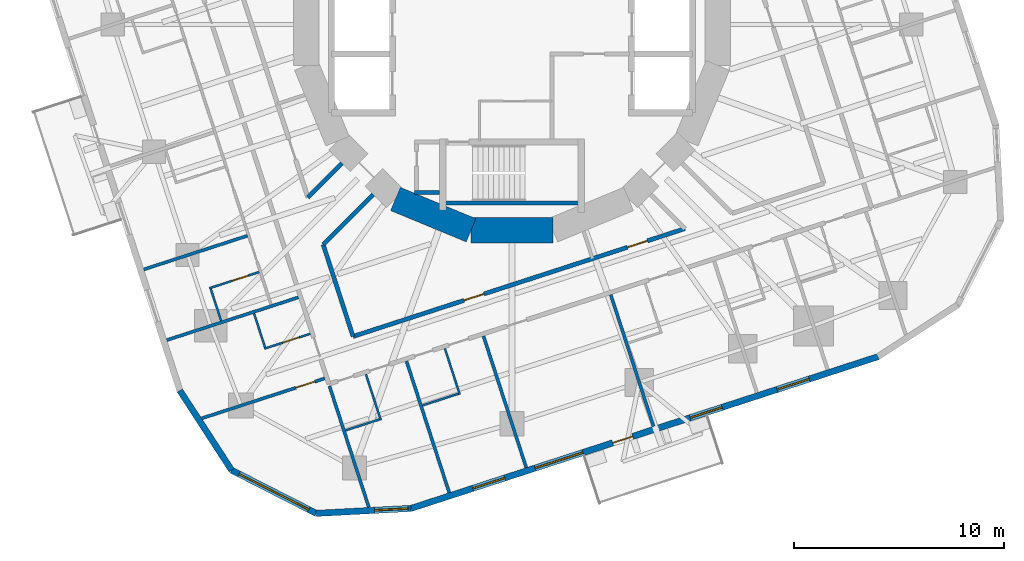
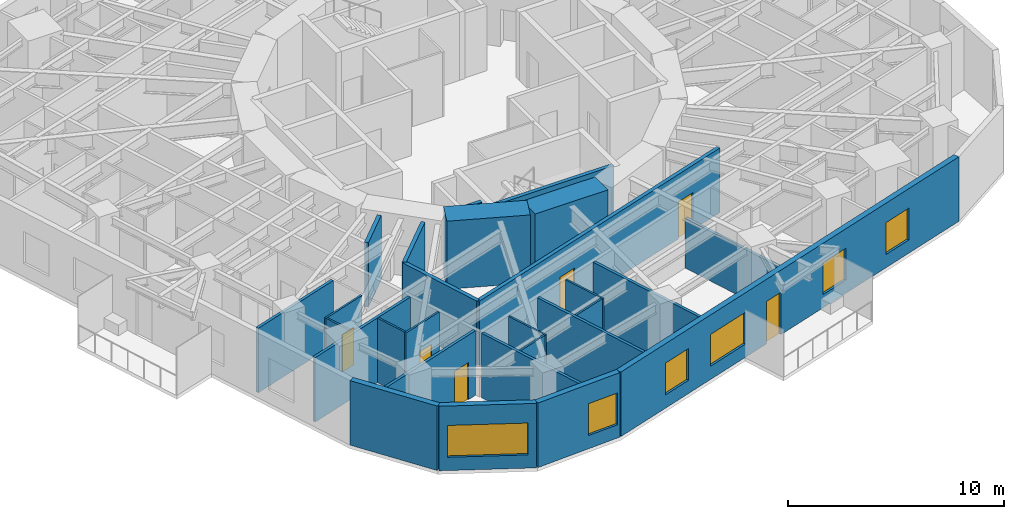
# One storey, part 4 of 12: 27 walls, 6 doors, 6 windows, 12 openings.
"""IFC4 building model written with IfcOpenShell, lengths in metres."""

from ifc_helpers import new_model, si_unit, direction, frame, frame_2d, origin, place, context, subcontext, project, spatial, rectangle, extrude, material, layer, layer_set, type_object, element, fill, save


model = new_model("IFC4")

# Units and contexts
model_context = context("Model", 3, precision=1e-05, world=origin(), true_north=direction((0.0, 1.0)))
body_context = subcontext(model_context, "Body", "Model", "MODEL_VIEW")
ifc_project = project(units=[si_unit("LENGTHUNIT", "METRE"), si_unit("AREAUNIT", "SQUARE_METRE"), si_unit("VOLUMEUNIT", "CUBIC_METRE"), si_unit("PLANEANGLEUNIT", "RADIAN"), si_unit("MASSUNIT", "GRAM", prefix="KILO")], contexts=[model_context])

# Site, building, storey
site_placement = place(None, origin())
site = spatial("IfcSite", under=ifc_project, at=site_placement, CompositionType="ELEMENT")
building_placement = place(site_placement, origin())
building = spatial("IfcBuilding", under=site, at=building_placement, Name="Nakasero Lantern House", CompositionType="ELEMENT")
storey_placement = place(building_placement, frame((0.0, 0.0, 168.75)))
storey = spatial("IfcBuildingStorey", under=building, at=storey_placement, Name="L41", CompositionType="ELEMENT", Elevation=168.75)

# Walls
ifc_material_1 = material(Name="Concrete C50/60", Category="concrete")
ifc_layer_1 = layer(ifc_material_1, 1.199951171875)
ifc_layer_set_1 = layer_set([ifc_layer_1], Name="Core wall 1200")
wall_type_1 = type_object("IfcWallType", Name="Core wall 1200", PredefinedType="SHEAR", material=ifc_layer_set_1)
for number, where, z_axis, x_axis, name in (
    (1, (-5.5556640625, -8.314697265625, 0.0), (0.0, 0.0, 1.0), (0.923876507187, -0.382690736062, 0.0), "Core wall L41 facet 11"),
    (2, (-1.950927734375, -9.807861328125, 0.0), (0.0, 0.0, 1.0), (1.0, 0.0, 0.0), "Core wall L41 facet 12"),
):
    element("IfcWall", number, at=place(storey_placement, frame(where, z_axis=z_axis, x_axis=x_axis)), inside=storey, type_object=wall_type_1, Name=name, PredefinedType="SHEAR", context=body_context, shape_type="SweptSolid", body=[
        extrude(rectangle(XDim=3.90185546875, YDim=1.199951171875, at=frame_2d((1.950927734375, 0.0))), origin(), (0.0, 0.0, 1.0), 3.85009765625),
    ])
ifc_material_2 = material(Name="Blockwork", Category="masonry")
ifc_layer_2 = layer(ifc_material_2, 0.199951171875)
ifc_layer_set_2 = layer_set([ifc_layer_2], Name="Corridor wall 200")
wall_type_2 = type_object("IfcWallType", Name="Corridor wall 200", PredefinedType="PARTITIONING", material=ifc_layer_set_2)
wall_1_placement = place(storey_placement, frame((-9.00048828125, -10.4853515625, 0.0), z_axis=(0.0, 0.0, 1.0), x_axis=(0.309020197406, -0.951055475561, 0.0)))
element("IfcWall", 3, at=wall_1_placement, inside=storey, type_object=wall_type_2, Name="Corridor wall L41 IW2-1", PredefinedType="PARTITIONING", context=body_context, shape_type="SweptSolid", body=[
    extrude(rectangle(XDim=4.609130859375, YDim=0.199951171875, at=frame_2d((2.3046875, 0.0))), origin(), (0.0, 0.0, 1.0), 3.64990234375),
])

# Wall, openings, doors
wall_2_placement = place(storey_placement, frame((-7.576171875, -14.868896484375, 0.0), z_axis=(0.0, 0.0, 1.0), x_axis=(0.951057148125, 0.309015049795, 0.0)))
wall_2 = element("IfcWall", 4, at=wall_2_placement, inside=storey, type_object=wall_type_2, Name="Corridor wall L41 IW3-0", PredefinedType="PARTITIONING", context=body_context, shape_type="SweptSolid", body=[
    extrude(rectangle(XDim=16.634033203125, YDim=0.199951171875, at=frame_2d((8.31689453125, 0.0))), origin(), (0.0, 0.0, 1.0), 3.64990234375),
])
opening_1_placement = place(wall_2_placement, frame((5.5625, 0.0, 0.0)))
opening_1 = element("IfcOpeningElement", 5, at=opening_1_placement, cuts=wall_2, Name="Opening D07", PredefinedType="OPENING", context=body_context, shape_type="SweptSolid", body=[
    extrude(rectangle(XDim=1.0, YDim=2.10009765625, at=frame_2d((0.5, 1.050048828125))), frame((0.0, 0.119873046875, 0.0), z_axis=(0.0, -1.0, 0.0), x_axis=(1.0, 0.0, 0.0)), (0.0, 0.0, 1.0), 0.239990234375),
])
opening_2_placement = place(wall_2_placement, frame((13.75439453125, 0.0, 0.0)))
opening_2 = element("IfcOpeningElement", 6, at=opening_2_placement, cuts=wall_2, Name="Opening D07", PredefinedType="OPENING", context=body_context, shape_type="SweptSolid", body=[
    extrude(rectangle(XDim=1.0, YDim=2.10009765625, at=frame_2d((0.5, 1.050048828125))), frame((0.0, 0.119873046875, 0.0), z_axis=(0.0, -1.0, 0.0), x_axis=(1.0, 0.0, 0.0)), (0.0, 0.0, 1.0), 0.239990234375),
])
ifc_material_3 = material(Name="Timber C24", Category="wood")
door_type_1 = type_object("IfcDoorType", Name="Room door FD30S 1000", OperationType="SINGLE_SWING_LEFT", PredefinedType="DOOR", material=ifc_material_3)
door_1_placement = place(opening_1_placement, origin())
door_1 = element("IfcDoor", 7, at=door_1_placement, inside=storey, type_object=door_type_1, Name="Door L41 DI2", OperationType="SINGLE_SWING_LEFT", OverallHeight=2.10009765625, OverallWidth=1.0, PredefinedType="DOOR", context=body_context, shape_type="SweptSolid", body=[
    extrude(rectangle(XDim=1.0, YDim=2.10009765625, at=frame_2d((0.5, 1.050048828125))), frame((0.0, 0.02490234375, 0.0), z_axis=(0.0, -1.0, 0.0), x_axis=(1.0, 0.0, 0.0)), (0.0, 0.0, 1.0), 0.050048828125),
])
fill(opening_1, door_1)
door_2_placement = place(opening_2_placement, origin())
door_2 = element("IfcDoor", 8, at=door_2_placement, inside=storey, type_object=door_type_1, Name="Door L41 DI3", OperationType="SINGLE_SWING_RIGHT", OverallHeight=2.10009765625, OverallWidth=1.0, PredefinedType="DOOR", context=body_context, shape_type="SweptSolid", body=[
    extrude(rectangle(XDim=1.0, YDim=2.10009765625, at=frame_2d((0.5, 1.050048828125))), frame((0.0, 0.02490234375, 0.0), z_axis=(0.0, -1.0, 0.0), x_axis=(1.0, 0.0, 0.0)), (0.0, 0.0, 1.0), 0.050048828125),
])
fill(opening_2, door_2)

# Walls
wall_3_placement = place(storey_placement, frame((-6.616943359375, -8.101806640625, 0.0), z_axis=(0.0, 0.0, 1.0), x_axis=(-0.707106781187, -0.707106781187, 0.0)))
element("IfcWall", 9, at=wall_3_placement, inside=storey, type_object=wall_type_2, Name="Corridor wall L41 PS10a", PredefinedType="PARTITIONING", context=body_context, shape_type="SweptSolid", body=[
    extrude(rectangle(XDim=3.370849609375, YDim=0.199951171875, at=frame_2d((1.685546875, 0.0))), origin(), (0.0, 0.0, 1.0), 3.64990234375),
])
wall_4_placement = place(storey_placement, frame((-8.101806640625, -6.616943359375, 0.0), z_axis=(0.0, 0.0, 1.0), x_axis=(-0.707159837407, -0.707053720985, 0.0)))
element("IfcWall", 10, at=wall_4_placement, inside=storey, type_object=wall_type_2, Name="Corridor wall L41 PS10b", PredefinedType="PARTITIONING", context=body_context, shape_type="SweptSolid", body=[
    extrude(rectangle(XDim=2.30078125, YDim=0.199951171875, at=frame_2d((1.150390625, 0.0))), origin(), (0.0, 0.0, 1.0), 3.64990234375),
])

# Wall, opening, door
ifc_material_4 = material(Name="Blockwork", Category="masonry")
ifc_layer_3 = layer(ifc_material_4, 0.10009765625)
ifc_layer_set_3 = layer_set([ifc_layer_3], Name="En-suite wall 100")
wall_type_3 = type_object("IfcWallType", Name="En-suite wall 100", PredefinedType="PARTITIONING", material=ifc_layer_set_3)
wall_5_placement = place(storey_placement, frame((-12.044189453125, -11.796630859375, 0.0), z_axis=(0.0, 0.0, 1.0), x_axis=(-0.951067792613, -0.308982287281, 0.0)))
wall_5 = element("IfcWall", 11, at=wall_5_placement, inside=storey, type_object=wall_type_3, Name="En-suite wall L41 ES2-05", PredefinedType="PARTITIONING", context=body_context, shape_type="SweptSolid", body=[
    extrude(rectangle(XDim=2.5, YDim=0.10009765625, at=frame_2d((1.25, 0.0))), origin(), (0.0, 0.0, 1.0), 3.64990234375),
])
opening_3_placement = place(wall_5_placement, frame((0.550048828125, 0.0, 0.0)))
opening_3 = element("IfcOpeningElement", 12, at=opening_3_placement, cuts=wall_5, Name="Opening D02", PredefinedType="OPENING", context=body_context, shape_type="SweptSolid", body=[
    extrude(rectangle(XDim=0.800048828125, YDim=2.10009765625, at=frame_2d((0.39990234375, 1.050048828125))), frame((0.0, 0.070068359375, 0.0), z_axis=(0.0, -1.0, 0.0), x_axis=(1.0, 0.0, 0.0)), (0.0, 0.0, 1.0), 0.14013671875),
])
ifc_material_5 = material(Name="Timber C24", Category="wood")
door_type_2 = type_object("IfcDoorType", Name="En-suite door 800", OperationType="SINGLE_SWING_RIGHT", PredefinedType="DOOR", material=ifc_material_5)
door_3_placement = place(opening_3_placement, origin())
door_3 = element("IfcDoor", 13, at=door_3_placement, inside=storey, type_object=door_type_2, Name="Door L41 DE2-05", OperationType="SINGLE_SWING_LEFT", OverallHeight=2.10009765625, OverallWidth=0.800048828125, PredefinedType="DOOR", context=body_context, shape_type="SweptSolid", body=[
    extrude(rectangle(XDim=0.800048828125, YDim=2.10009765625, at=frame_2d((0.39990234375, 1.050048828125))), frame((0.0, 0.02490234375, 0.0), z_axis=(0.0, -1.0, 0.0), x_axis=(1.0, 0.0, 0.0)), (0.0, 0.0, 1.0), 0.050048828125),
])
fill(opening_3, door_3)

# Wall
wall_6_placement = place(storey_placement, frame((-14.358642578125, -12.601318359375, 0.0), z_axis=(0.0, 0.0, 1.0), x_axis=(0.308986014439, -0.951066581729, 0.0)))
element("IfcWall", 14, at=wall_6_placement, inside=storey, type_object=wall_type_3, Name="En-suite wall L41 EE2-05", PredefinedType="PARTITIONING", context=body_context, shape_type="SweptSolid", body=[
    extrude(rectangle(XDim=1.60009765625, YDim=0.10009765625, at=frame_2d((0.800048828125, 0.0))), origin(), (0.0, 0.0, 1.0), 3.64990234375),
])

# Wall, opening, door
wall_7_placement = place(storey_placement, frame((-9.61572265625, -14.740234375, 0.0), z_axis=(0.0, 0.0, 1.0), x_axis=(-0.951055129775, -0.309021261611, 0.0)))
wall_7 = element("IfcWall", 15, at=wall_7_placement, inside=storey, type_object=wall_type_3, Name="En-suite wall L41 ES2-06", PredefinedType="PARTITIONING", context=body_context, shape_type="SweptSolid", body=[
    extrude(rectangle(XDim=2.2998046875, YDim=0.10009765625, at=frame_2d((1.14990234375, 0.0))), origin(), (0.0, 0.0, 1.0), 3.64990234375),
])
opening_4_placement = place(wall_7_placement, frame((0.550048828125, 0.0, 0.0)))
opening_4 = element("IfcOpeningElement", 16, at=opening_4_placement, cuts=wall_7, Name="Opening D02", PredefinedType="OPENING", context=body_context, shape_type="SweptSolid", body=[
    extrude(rectangle(XDim=0.800048828125, YDim=2.10009765625, at=frame_2d((0.39990234375, 1.050048828125))), frame((0.0, 0.070068359375, 0.0), z_axis=(0.0, -1.0, 0.0), x_axis=(1.0, 0.0, 0.0)), (0.0, 0.0, 1.0), 0.14013671875),
])
door_4_placement = place(opening_4_placement, origin())
door_4 = element("IfcDoor", 17, at=door_4_placement, inside=storey, type_object=door_type_2, Name="Door L41 DE2-06", OperationType="SINGLE_SWING_LEFT", OverallHeight=2.10009765625, OverallWidth=0.800048828125, PredefinedType="DOOR", context=body_context, shape_type="SweptSolid", body=[
    extrude(rectangle(XDim=0.800048828125, YDim=2.10009765625, at=frame_2d((0.39990234375, 1.050048828125))), frame((0.0, 0.02490234375, 0.0), z_axis=(0.0, -1.0, 0.0), x_axis=(1.0, 0.0, 0.0)), (0.0, 0.0, 1.0), 0.050048828125),
])
fill(opening_4, door_4)

# Walls
wall_8_placement = place(storey_placement, frame((-12.29638671875, -13.771240234375, 0.0), z_axis=(0.0, 0.0, 1.0), x_axis=(0.309066587596, -0.951040401051, 0.0)))
element("IfcWall", 18, at=wall_8_placement, inside=storey, type_object=wall_type_3, Name="En-suite wall L41 EE2-06", PredefinedType="PARTITIONING", context=body_context, shape_type="SweptSolid", body=[
    extrude(rectangle(XDim=1.699951171875, YDim=0.10009765625, at=frame_2d((0.85009765625, 0.0))), origin(), (0.0, 0.0, 1.0), 3.64990234375),
])
wall_9_placement = place(storey_placement, frame((-6.965087890625, -16.668212890625, 0.0), z_axis=(0.0, 0.0, 1.0), x_axis=(0.309021261611, -0.951055129775, 0.0)))
element("IfcWall", 19, at=wall_9_placement, inside=storey, type_object=wall_type_3, Name="En-suite wall L41 ES3-00", PredefinedType="PARTITIONING", context=body_context, shape_type="SweptSolid", body=[
    extrude(rectangle(XDim=2.2998046875, YDim=0.10009765625, at=frame_2d((1.14990234375, 0.0))), origin(), (0.0, 0.0, 1.0), 3.64990234375),
])
wall_10_placement = place(storey_placement, frame((-7.934326171875, -19.348876953125, 0.0), z_axis=(0.0, 0.0, 1.0), x_axis=(0.951054116971, 0.309024378638, 0.0)))
element("IfcWall", 20, at=wall_10_placement, inside=storey, type_object=wall_type_3, Name="En-suite wall L41 EE3-00", PredefinedType="PARTITIONING", context=body_context, shape_type="SweptSolid", body=[
    extrude(rectangle(XDim=1.7001953125, YDim=0.10009765625, at=frame_2d((0.85009765625, 0.0))), origin(), (0.0, 0.0, 1.0), 3.64990234375),
])
wall_11_placement = place(storey_placement, frame((-3.199462890625, -15.444580078125, 0.0), z_axis=(0.0, 0.0, 1.0), x_axis=(0.308990065628, -0.951065265554, 0.0)))
element("IfcWall", 21, at=wall_11_placement, inside=storey, type_object=wall_type_3, Name="En-suite wall L41 ES3-01", PredefinedType="PARTITIONING", context=body_context, shape_type="SweptSolid", body=[
    extrude(rectangle(XDim=2.300048828125, YDim=0.10009765625, at=frame_2d((1.14990234375, 0.0))), origin(), (0.0, 0.0, 1.0), 3.64990234375),
])
wall_12_placement = place(storey_placement, frame((-4.263671875, -18.15625, 0.0), z_axis=(0.0, 0.0, 1.0), x_axis=(0.951030081821, 0.309098339485, 0.0)))
element("IfcWall", 22, at=wall_12_placement, inside=storey, type_object=wall_type_3, Name="En-suite wall L41 EE3-01", PredefinedType="PARTITIONING", context=body_context, shape_type="SweptSolid", body=[
    extrude(rectangle(XDim=1.800048828125, YDim=0.10009765625, at=frame_2d((0.89990234375, 0.0))), origin(), (0.0, 0.0, 1.0), 3.64990234375),
])
ifc_material_6 = material(Name="Aluminium rainscreen on blockwork", Category="masonry")
ifc_layer_4 = layer(ifc_material_6, 0.300048828125)
ifc_layer_set_4 = layer_set([ifc_layer_4], Name="Facade wall 300")
wall_type_4 = type_object("IfcWallType", Name="Facade wall 300", PredefinedType="SOLIDWALL", material=ifc_layer_set_4)
wall_13_placement = place(storey_placement, frame((-15.83349609375, -17.44677734375, 0.0), z_axis=(0.0, 0.0, 1.0), x_axis=(0.544634002266, -0.838673836229, 0.0)))
element("IfcWall", 23, at=wall_13_placement, inside=storey, type_object=wall_type_4, Name="Facade wall L41 FW2C1", PredefinedType="SOLIDWALL", context=body_context, shape_type="SweptSolid", body=[
    extrude(rectangle(XDim=4.529296875, YDim=0.300048828125, at=frame_2d((2.2646484375, 0.0))), origin(), (0.0, 0.0, 1.0), 3.64990234375),
])

# Wall, opening, window
wall_14_placement = place(storey_placement, frame((-13.36669921875, -21.245361328125, 0.0), z_axis=(0.0, 0.0, 1.0), x_axis=(0.890994655705, -0.454013792196, 0.0)))
wall_14 = element("IfcWall", 24, at=wall_14_placement, inside=storey, type_object=wall_type_4, Name="Facade wall L41 FW2C2", PredefinedType="SOLIDWALL", context=body_context, shape_type="SweptSolid", body=[
    extrude(rectangle(XDim=4.529296875, YDim=0.300048828125, at=frame_2d((2.2646484375, 0.0))), origin(), (0.0, 0.0, 1.0), 3.64990234375),
])
opening_5_placement = place(wall_14_placement, frame((0.39990234375, 0.0, 0.75)))
opening_5 = element("IfcOpeningElement", 25, at=opening_5_placement, cuts=wall_14, Name="Opening W237A", PredefinedType="OPENING", context=body_context, shape_type="SweptSolid", body=[
    extrude(rectangle(XDim=3.72900390625, YDim=1.800048828125, at=frame_2d((1.864501953125, 0.89990234375))), frame((0.0, 0.169921875, 0.0), z_axis=(0.0, -1.0, 0.0), x_axis=(1.0, 0.0, 0.0)), (0.0, 0.0, 1.0), 0.340087890625),
])
ifc_material_7 = material(Name="Aluminium 6063-T6 and glass", Category="aluminium")
window_type_1 = type_object("IfcWindowType", Name="Corner window 3729x1800", PartitioningType="SINGLE_PANEL", PredefinedType="WINDOW", material=ifc_material_7)
window_1_placement = place(opening_5_placement, origin())
window_1 = element("IfcWindow", 26, at=window_1_placement, inside=storey, type_object=window_type_1, Name="Window L41 WC2", OverallHeight=1.800048828125, OverallWidth=3.72900390625, PartitioningType="SINGLE_PANEL", PredefinedType="WINDOW", context=body_context, shape_type="SweptSolid", body=[
    extrude(rectangle(XDim=3.72900390625, YDim=1.800048828125, at=frame_2d((1.864501953125, 0.89990234375))), frame((0.0, 0.030029296875, 0.0), z_axis=(0.0, -1.0, 0.0), x_axis=(1.0, 0.0, 0.0)), (0.0, 0.0, 1.0), 0.06005859375),
])
fill(opening_5, window_1)

wall_15_placement = place(storey_placement, frame((-9.3310546875, -23.3017578125, 0.0), z_axis=(0.0, 0.0, 1.0), x_axis=(0.998629419044, 0.052338164079, 0.0)))
wall_15 = element("IfcWall", 27, at=wall_15_placement, inside=storey, type_object=wall_type_4, Name="Facade wall L41 FW2C3", PredefinedType="SOLIDWALL", context=body_context, shape_type="SweptSolid", body=[
    extrude(rectangle(XDim=4.529296875, YDim=0.300048828125, at=frame_2d((2.2646484375, 0.0))), origin(), (0.0, 0.0, 1.0), 3.64990234375),
])
opening_6_placement = place(wall_15_placement, frame((2.784912109375, 0.0, 0.75)))
opening_6 = element("IfcOpeningElement", 28, at=opening_6_placement, cuts=wall_15, Name="Opening W01", PredefinedType="OPENING", context=body_context, shape_type="SweptSolid", body=[
    extrude(rectangle(XDim=1.60009765625, YDim=1.800048828125, at=frame_2d((0.800048828125, 0.89990234375))), frame((0.0, 0.169921875, 0.0), z_axis=(0.0, -1.0, 0.0), x_axis=(1.0, 0.0, 0.0)), (0.0, 0.0, 1.0), 0.340087890625),
])
ifc_material_8 = material(Name="Aluminium 6063-T6 and glass", Category="aluminium")
window_type_2 = type_object("IfcWindowType", Name="Bedroom window 1600x1800", PartitioningType="SINGLE_PANEL", PredefinedType="WINDOW", material=ifc_material_8)
window_2_placement = place(opening_6_placement, origin())
window_2 = element("IfcWindow", 29, at=window_2_placement, inside=storey, type_object=window_type_2, Name="Window L41 WN3-00", OverallHeight=1.800048828125, OverallWidth=1.60009765625, PartitioningType="SINGLE_PANEL", PredefinedType="WINDOW", context=body_context, shape_type="SweptSolid", body=[
    extrude(rectangle(XDim=1.60009765625, YDim=1.800048828125, at=frame_2d((0.800048828125, 0.89990234375))), frame((0.0, 0.030029296875, 0.0), z_axis=(0.0, -1.0, 0.0), x_axis=(1.0, 0.0, 0.0)), (0.0, 0.0, 1.0), 0.06005859375),
])
fill(opening_6, window_2)

# Wall, openings, door, windows
wall_16_placement = place(storey_placement, frame((-4.807861328125, -23.064697265625, 0.0), z_axis=(0.0, 0.0, 1.0), x_axis=(0.951053618334, 0.30902591324, 0.0)))
wall_16 = element("IfcWall", 30, at=wall_16_placement, inside=storey, type_object=wall_type_4, Name="Facade wall L41 FW3S", PredefinedType="SOLIDWALL", context=body_context, shape_type="SweptSolid", body=[
    extrude(rectangle(XDim=23.39990234375, YDim=0.300048828125, at=frame_2d((11.699951171875, 0.0))), origin(), (0.0, 0.0, 1.0), 3.64990234375),
])
opening_7_placement = place(wall_16_placement, frame((3.089111328125, 0.0, 0.75)))
opening_7 = element("IfcOpeningElement", 31, at=opening_7_placement, cuts=wall_16, Name="Opening W01", PredefinedType="OPENING", context=body_context, shape_type="SweptSolid", body=[
    extrude(rectangle(XDim=1.60009765625, YDim=1.800048828125, at=frame_2d((0.800048828125, 0.89990234375))), frame((0.0, 0.169921875, 0.0), z_axis=(0.0, -1.0, 0.0), x_axis=(1.0, 0.0, 0.0)), (0.0, 0.0, 1.0), 0.340087890625),
])
opening_8_placement = place(wall_16_placement, frame((13.987548828125, 0.0, 0.75)))
opening_8 = element("IfcOpeningElement", 32, at=opening_8_placement, cuts=wall_16, Name="Opening W01", PredefinedType="OPENING", context=body_context, shape_type="SweptSolid", body=[
    extrude(rectangle(XDim=1.60009765625, YDim=1.800048828125, at=frame_2d((0.800048828125, 0.89990234375))), frame((0.0, 0.169921875, 0.0), z_axis=(0.0, -1.0, 0.0), x_axis=(1.0, 0.0, 0.0)), (0.0, 0.0, 1.0), 0.340087890625),
])
opening_9_placement = place(wall_16_placement, frame((18.350341796875, 0.0, 0.75)))
opening_9 = element("IfcOpeningElement", 33, at=opening_9_placement, cuts=wall_16, Name="Opening W01", PredefinedType="OPENING", context=body_context, shape_type="SweptSolid", body=[
    extrude(rectangle(XDim=1.60009765625, YDim=1.800048828125, at=frame_2d((0.800048828125, 0.89990234375))), frame((0.0, 0.169921875, 0.0), z_axis=(0.0, -1.0, 0.0), x_axis=(1.0, 0.0, 0.0)), (0.0, 0.0, 1.0), 0.340087890625),
])
opening_10_placement = place(wall_16_placement, frame((6.21337890625, 0.0, 0.75)))
opening_10 = element("IfcOpeningElement", 34, at=opening_10_placement, cuts=wall_16, Name="Opening W03", PredefinedType="OPENING", context=body_context, shape_type="SweptSolid", body=[
    extrude(rectangle(XDim=2.39990234375, YDim=1.800048828125, at=frame_2d((1.199951171875, 0.89990234375))), frame((0.0, 0.169921875, 0.0), z_axis=(0.0, -1.0, 0.0), x_axis=(1.0, 0.0, 0.0)), (0.0, 0.0, 1.0), 0.340087890625),
])
opening_11_placement = place(wall_16_placement, frame((10.1025390625, 0.0, 0.0)))
opening_11 = element("IfcOpeningElement", 35, at=opening_11_placement, cuts=wall_16, Name="Opening D04", PredefinedType="OPENING", context=body_context, shape_type="SweptSolid", body=[
    extrude(rectangle(XDim=1.0, YDim=2.39990234375, at=frame_2d((0.5, 1.199951171875))), frame((0.0, 0.169921875, 0.0), z_axis=(0.0, -1.0, 0.0), x_axis=(1.0, 0.0, 0.0)), (0.0, 0.0, 1.0), 0.340087890625),
])
ifc_material_9 = material(Name="Aluminium 6063-T6 and glass", Category="aluminium")
door_type_3 = type_object("IfcDoorType", Name="Balcony door 1000x2400", OperationType="SINGLE_SWING_RIGHT", PredefinedType="DOOR", material=ifc_material_9)
door_5_placement = place(opening_11_placement, origin())
door_5 = element("IfcDoor", 36, at=door_5_placement, inside=storey, type_object=door_type_3, Name="Balcony door L41 DB3", OperationType="SINGLE_SWING_RIGHT", OverallHeight=2.39990234375, OverallWidth=1.0, PredefinedType="DOOR", context=body_context, shape_type="SweptSolid", body=[
    extrude(rectangle(XDim=1.0, YDim=2.39990234375, at=frame_2d((0.5, 1.199951171875))), frame((0.0, 0.02490234375, 0.0), z_axis=(0.0, -1.0, 0.0), x_axis=(1.0, 0.0, 0.0)), (0.0, 0.0, 1.0), 0.050048828125),
])
fill(opening_11, door_5)
window_3_placement = place(opening_7_placement, origin())
window_3 = element("IfcWindow", 37, at=window_3_placement, inside=storey, type_object=window_type_2, Name="Window L41 WN3-01", OverallHeight=1.800048828125, OverallWidth=1.60009765625, PartitioningType="SINGLE_PANEL", PredefinedType="WINDOW", context=body_context, shape_type="SweptSolid", body=[
    extrude(rectangle(XDim=1.60009765625, YDim=1.800048828125, at=frame_2d((0.800048828125, 0.89990234375))), frame((0.0, 0.030029296875, 0.0), z_axis=(0.0, -1.0, 0.0), x_axis=(1.0, 0.0, 0.0)), (0.0, 0.0, 1.0), 0.06005859375),
])
fill(opening_7, window_3)
window_4_placement = place(opening_8_placement, origin())
window_4 = element("IfcWindow", 38, at=window_4_placement, inside=storey, type_object=window_type_2, Name="Window L41 WN3-04", OverallHeight=1.800048828125, OverallWidth=1.60009765625, PartitioningType="SINGLE_PANEL", PredefinedType="WINDOW", context=body_context, shape_type="SweptSolid", body=[
    extrude(rectangle(XDim=1.60009765625, YDim=1.800048828125, at=frame_2d((0.800048828125, 0.89990234375))), frame((0.0, 0.030029296875, 0.0), z_axis=(0.0, -1.0, 0.0), x_axis=(1.0, 0.0, 0.0)), (0.0, 0.0, 1.0), 0.06005859375),
])
fill(opening_8, window_4)
window_5_placement = place(opening_9_placement, origin())
window_5 = element("IfcWindow", 39, at=window_5_placement, inside=storey, type_object=window_type_2, Name="Window L41 WN3-05", OverallHeight=1.800048828125, OverallWidth=1.60009765625, PartitioningType="SINGLE_PANEL", PredefinedType="WINDOW", context=body_context, shape_type="SweptSolid", body=[
    extrude(rectangle(XDim=1.60009765625, YDim=1.800048828125, at=frame_2d((0.800048828125, 0.89990234375))), frame((0.0, 0.030029296875, 0.0), z_axis=(0.0, -1.0, 0.0), x_axis=(1.0, 0.0, 0.0)), (0.0, 0.0, 1.0), 0.06005859375),
])
fill(opening_9, window_5)
ifc_material_10 = material(Name="Aluminium 6063-T6 and glass", Category="aluminium")
window_type_3 = type_object("IfcWindowType", Name="Lounge window 2400x1800", PartitioningType="SINGLE_PANEL", PredefinedType="WINDOW", material=ifc_material_10)
window_6_placement = place(opening_10_placement, origin())
window_6 = element("IfcWindow", 40, at=window_6_placement, inside=storey, type_object=window_type_3, Name="Window L41 WK3", OverallHeight=1.800048828125, OverallWidth=2.39990234375, PartitioningType="SINGLE_PANEL", PredefinedType="WINDOW", context=body_context, shape_type="SweptSolid", body=[
    extrude(rectangle(XDim=2.39990234375, YDim=1.800048828125, at=frame_2d((1.199951171875, 0.89990234375))), frame((0.0, 0.030029296875, 0.0), z_axis=(0.0, -1.0, 0.0), x_axis=(1.0, 0.0, 0.0)), (0.0, 0.0, 1.0), 0.06005859375),
])
fill(opening_10, window_6)

# Walls
ifc_material_11 = material(Name="Blockwork", Category="masonry")
ifc_layer_5 = layer(ifc_material_11, 0.199951171875)
ifc_layer_set_5 = layer_set([ifc_layer_5], Name="Fire lobby wall 200")
wall_type_5 = type_object("IfcWallType", Name="Fire lobby wall 200", PredefinedType="PARTITIONING", material=ifc_layer_set_5)
wall_17_placement = place(storey_placement, frame((-3.449951171875, -8.0, 0.0), z_axis=(0.0, 0.0, 1.0), x_axis=(-1.0, 0.0, 0.0)))
element("IfcWall", 41, at=wall_17_placement, inside=storey, type_object=wall_type_5, Name="Fire lobby wall L41 W-RS2S", PredefinedType="PARTITIONING", context=body_context, shape_type="SweptSolid", body=[
    extrude(rectangle(XDim=1.199951171875, YDim=0.199951171875, at=frame_2d((0.60009765625, 0.0))), origin(), (0.0, 0.0, 1.0), 3.64990234375),
])
wall_18_placement = place(storey_placement, frame((-3.300048828125, -8.5, 0.0), z_axis=(0.0, 0.0, 1.0), x_axis=(1.0, 0.0, 0.0)))
element("IfcWall", 42, at=wall_18_placement, inside=storey, type_object=wall_type_5, Name="Fire lobby wall L41 W-STS", PredefinedType="PARTITIONING", context=body_context, shape_type="SweptSolid", body=[
    extrude(rectangle(XDim=6.60009765625, YDim=0.199951171875, at=frame_2d((3.300048828125, 0.0))), origin(), (0.0, 0.0, 1.0), 3.64990234375),
])
ifc_material_12 = material(Name="Blockwork", Category="masonry")
ifc_layer_6 = layer(ifc_material_12, 0.14990234375)
ifc_layer_set_6 = layer_set([ifc_layer_6], Name="Party wall 150")
wall_type_6 = type_object("IfcWallType", Name="Party wall 150", PredefinedType="PARTITIONING", material=ifc_layer_set_6)
wall_19_placement = place(storey_placement, frame((-12.606201171875, -10.06640625, 0.0), z_axis=(0.0, 0.0, 1.0), x_axis=(-0.951055112834, -0.309021313752, 0.0)))
element("IfcWall", 43, at=wall_19_placement, inside=storey, type_object=wall_type_6, Name="Party wall L41 PW2-05", PredefinedType="PARTITIONING", context=body_context, shape_type="SweptSolid", body=[
    extrude(rectangle(XDim=5.2001953125, YDim=0.14990234375, at=frame_2d((2.60009765625, 0.0))), origin(), (0.0, 0.0, 1.0), 3.64990234375),
])
wall_20_placement = place(storey_placement, frame((-10.1796875, -13.004638671875, 0.0), z_axis=(0.0, 0.0, 1.0), x_axis=(-0.951053095941, -0.309027520945, 0.0)))
element("IfcWall", 44, at=wall_20_placement, inside=storey, type_object=wall_type_6, Name="Party wall L41 PW2-06", PredefinedType="PARTITIONING", context=body_context, shape_type="SweptSolid", body=[
    extrude(rectangle(XDim=6.599853515625, YDim=0.14990234375, at=frame_2d((3.2998046875, 0.0))), origin(), (0.0, 0.0, 1.0), 3.64990234375),
])

# Wall, opening, door
wall_21_placement = place(storey_placement, frame((-8.9248046875, -16.8662109375, 0.0), z_axis=(0.0, 0.0, 1.0), x_axis=(-0.951051818488, -0.309031452366, 0.0)))
wall_21 = element("IfcWall", 45, at=wall_21_placement, inside=storey, type_object=wall_type_6, Name="Party wall L41 PC2", PredefinedType="PARTITIONING", context=body_context, shape_type="SweptSolid", body=[
    extrude(rectangle(XDim=6.165283203125, YDim=0.14990234375, at=frame_2d((3.08251953125, 0.0))), origin(), (0.0, 0.0, 1.0), 3.64990234375),
])
opening_12_placement = place(wall_21_placement, frame((0.5, 0.0, 0.0)))
opening_12 = element("IfcOpeningElement", 46, at=opening_12_placement, cuts=wall_21, Name="Opening D01", PredefinedType="OPENING", context=body_context, shape_type="SweptSolid", body=[
    extrude(rectangle(XDim=0.949951171875, YDim=2.10009765625, at=frame_2d((0.47509765625, 1.050048828125))), frame((0.0, 0.094970703125, 0.0), z_axis=(0.0, -1.0, 0.0), x_axis=(1.0, 0.0, 0.0)), (0.0, 0.0, 1.0), 0.18994140625),
])
ifc_material_13 = material(Name="Timber C24", Category="wood")
door_type_4 = type_object("IfcDoorType", Name="Bedroom door FD30S 950", OperationType="SINGLE_SWING_LEFT", PredefinedType="DOOR", material=ifc_material_13)
door_6_placement = place(opening_12_placement, origin())
door_6 = element("IfcDoor", 47, at=door_6_placement, inside=storey, type_object=door_type_4, Name="Door L41 DC2", OperationType="SINGLE_SWING_LEFT", OverallHeight=2.10009765625, OverallWidth=0.949951171875, PredefinedType="DOOR", context=body_context, shape_type="SweptSolid", body=[
    extrude(rectangle(XDim=0.949951171875, YDim=2.10009765625, at=frame_2d((0.47509765625, 1.050048828125))), frame((0.0, 0.02490234375, 0.0), z_axis=(0.0, -1.0, 0.0), x_axis=(1.0, 0.0, 0.0)), (0.0, 0.0, 1.0), 0.050048828125),
])
fill(opening_12, door_6)

# Walls
wall_22_placement = place(storey_placement, frame((-8.700927734375, -17.232177734375, 0.0), z_axis=(0.0, 0.0, 1.0), x_axis=(0.309015253813, -0.951057081836, 0.0)))
element("IfcWall", 48, at=wall_22_placement, inside=storey, type_object=wall_type_6, Name="Party wall L41 PW3-00", PredefinedType="PARTITIONING", context=body_context, shape_type="SweptSolid", body=[
    extrude(rectangle(XDim=6.080322265625, YDim=0.14990234375, at=frame_2d((3.0400390625, 0.0))), origin(), (0.0, 0.0, 1.0), 3.64990234375),
])
for number, where, z_axis, x_axis, name in (
    (49, (-5.0302734375, -16.03955078125, 0.0), (0.0, 0.0, 1.0), (0.309027520945, -0.951053095941, 0.0), "Party wall L41 PW3-01"),
    (50, (-1.359619140625, -14.846923828125, 0.0), (0.0, 0.0, 1.0), (0.309027520945, -0.951053095941, 0.0), "Party wall L41 PW3-02"),
):
    element("IfcWall", number, at=place(storey_placement, frame(where, z_axis=z_axis, x_axis=x_axis)), inside=storey, type_object=wall_type_6, Name=name, PredefinedType="PARTITIONING", context=body_context, shape_type="SweptSolid", body=[
        extrude(rectangle(XDim=6.599853515625, YDim=0.14990234375, at=frame_2d((3.2998046875, 0.0))), origin(), (0.0, 0.0, 1.0), 3.64990234375),
    ])
wall_23_placement = place(storey_placement, frame((4.706298828125, -12.8759765625, 0.0), z_axis=(0.0, 0.0, 1.0), x_axis=(0.309027520945, -0.951053095941, 0.0)))
element("IfcWall", 51, at=wall_23_placement, inside=storey, type_object=wall_type_6, Name="Party wall L41 PW3-04", PredefinedType="PARTITIONING", context=body_context, shape_type="SweptSolid", body=[
    extrude(rectangle(XDim=6.599853515625, YDim=0.14990234375, at=frame_2d((3.2998046875, 0.0))), origin(), (0.0, 0.0, 1.0), 2.809326171875),
])

save(model, "model.ifc")
